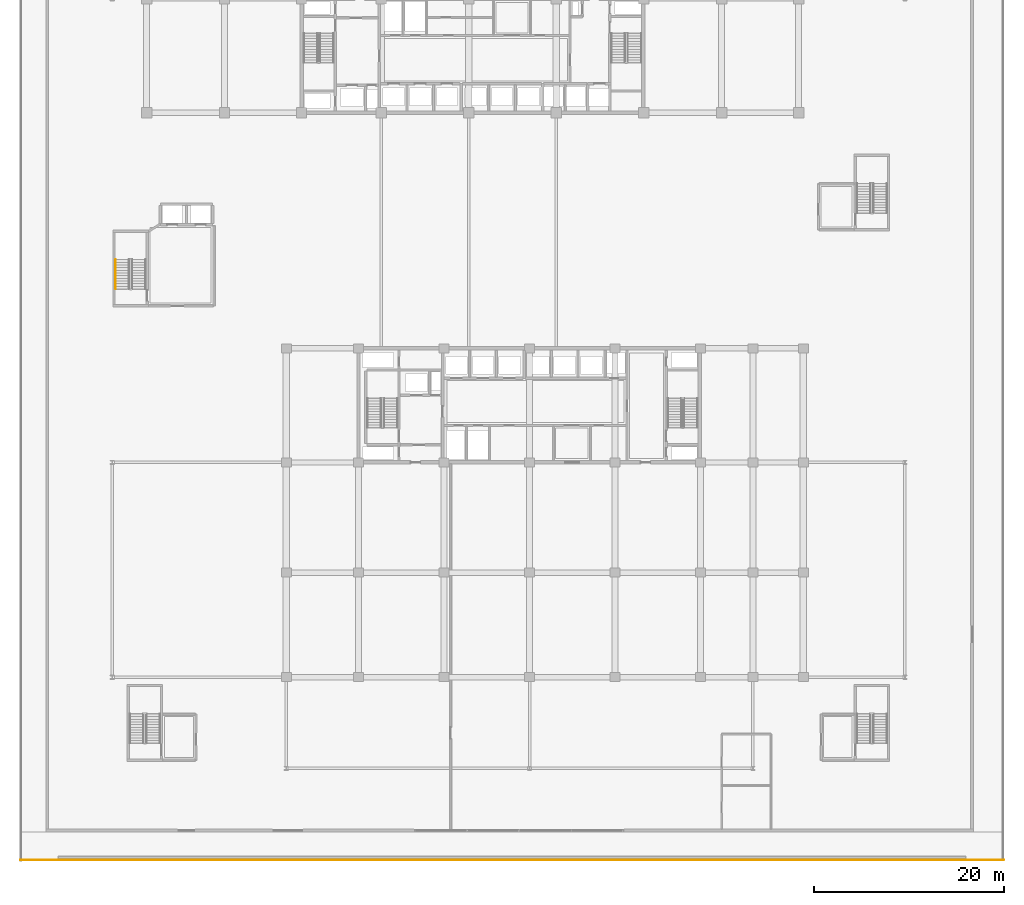
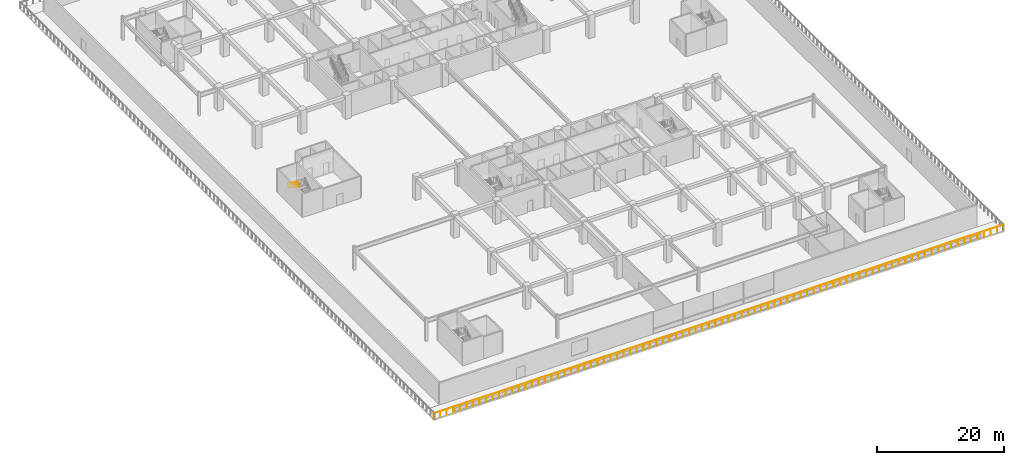
# One storey, part 32 of 43: 2 railings.
"""IFC4 building model written with IfcOpenShell, lengths in metres."""

from ifc_helpers import new_model, si_unit, direction, frame, origin, origin_2d, place, context, subcontext, project, spatial, circle, extrude, material, type_object, element, save


model = new_model("IFC4")

# Units and contexts
model_context = context("Model", 3, precision=1e-05, world=origin(), true_north=direction((0.0, 1.0)))
body_context = subcontext(model_context, "Body", "Model", "MODEL_VIEW")
ifc_project = project(units=[si_unit("LENGTHUNIT", "METRE"), si_unit("AREAUNIT", "SQUARE_METRE"), si_unit("VOLUMEUNIT", "CUBIC_METRE"), si_unit("PLANEANGLEUNIT", "RADIAN"), si_unit("MASSUNIT", "GRAM", prefix="KILO")], contexts=[model_context])

# Site, building, storey
site_placement = place(None, origin())
site = spatial("IfcSite", under=ifc_project, at=site_placement, CompositionType="ELEMENT")
building_placement = place(site_placement, origin())
building = spatial("IfcBuilding", under=site, at=building_placement, Name="Korimba Cascade Residences", CompositionType="ELEMENT")
storey_placement = place(building_placement, frame((0.0, 0.0, 10.0)))
storey = spatial("IfcBuildingStorey", under=building, at=storey_placement, Name="L02", CompositionType="ELEMENT", Elevation=10.0)

# Railings
ifc_material_1 = material(Name="Brushed Stainless Steel Handrail", Category="steel")
railing_type_1 = type_object("IfcRailingType", Name="RLG-ST-HR900", PredefinedType="HANDRAIL", material=ifc_material_1)
railing_1_placement = place(storey_placement, frame((56.550048828125, 39.72998046875, 2.629150390625)))
element("IfcRailing", 1, at=railing_1_placement, inside=storey, type_object=railing_type_1, Name="L02 ST-P1 stair handrail 2", PredefinedType="HANDRAIL", context=body_context, shape_type="SweptSolid", body=[
    extrude(circle(Radius=0.02392578125, at=origin_2d()), frame((0.0, 0.0, 0.8759765625), z_axis=(0.0, -0.830913701846, 0.55640131208), x_axis=(1.0, 0.0, 0.0)), (0.0, 0.0, 1.0), 3.706787109375),
    extrude(circle(Radius=0.02099609375, at=origin_2d()), origin(), (0.0, 0.0, 1.0), 0.851806640625),
    extrude(circle(Radius=0.02099609375, at=origin_2d()), frame((0.0, -0.77001953125, 0.515625)), (0.0, 0.0, 1.0), 0.851806640625),
    extrude(circle(Radius=0.02099609375, at=origin_2d()), frame((0.0, -1.5400390625, 1.03125)), (0.0, 0.0, 1.0), 0.851806640625),
    extrude(circle(Radius=0.02099609375, at=origin_2d()), frame((0.0, -2.31005859375, 1.546875)), (0.0, 0.0, 1.0), 0.851806640625),
    extrude(circle(Radius=0.02099609375, at=origin_2d()), frame((0.0, -3.080078125, 2.0625)), (0.0, 0.0, 1.0), 0.851806640625),
])
ifc_material_2 = material(Name="Painted Galvanised Steel Terrace Guardrail", Category="steel")
railing_type_2 = type_object("IfcRailingType", Name="RLG-TER-1150", PredefinedType="GUARDRAIL", material=ifc_material_2)
railing_2_placement = place(storey_placement, frame((46.5, -23.419921875, 0.0)))
element("IfcRailing", 2, at=railing_2_placement, inside=storey, type_object=railing_type_2, Name="L02 Perimeter Guardrail RLG-L02-TER-01", PredefinedType="GUARDRAIL", context=body_context, shape_type="SweptSolid", body=[
    extrude(circle(Radius=0.02392578125, at=origin_2d()), frame((0.0, 0.0, 1.1259765625), z_axis=(1.0, 0.0, 0.0), x_axis=(0.0, 1.0, 0.0)), (0.0, 0.0, 1.0), 103.5),
    extrude(circle(Radius=0.02099609375, at=origin_2d()), origin(), (0.0, 0.0, 1.0), 1.101806640625),
    extrude(circle(Radius=0.02099609375, at=origin_2d()), frame((1.189697265625, 0.0, 0.0)), (0.0, 0.0, 1.0), 1.101806640625),
    extrude(circle(Radius=0.02099609375, at=origin_2d()), frame((2.37939453125, 0.0, 0.0)), (0.0, 0.0, 1.0), 1.101806640625),
    extrude(circle(Radius=0.02099609375, at=origin_2d()), frame((3.56884765625, 0.0, 0.0)), (0.0, 0.0, 1.0), 1.101806640625),
    extrude(circle(Radius=0.02099609375, at=origin_2d()), frame((4.758544921875, 0.0, 0.0)), (0.0, 0.0, 1.0), 1.101806640625),
    extrude(circle(Radius=0.02099609375, at=origin_2d()), frame((5.9482421875, 0.0, 0.0)), (0.0, 0.0, 1.0), 1.101806640625),
    extrude(circle(Radius=0.02099609375, at=origin_2d()), frame((7.137939453125, 0.0, 0.0)), (0.0, 0.0, 1.0), 1.101806640625),
    extrude(circle(Radius=0.02099609375, at=origin_2d()), frame((8.32763671875, 0.0, 0.0)), (0.0, 0.0, 1.0), 1.101806640625),
    extrude(circle(Radius=0.02099609375, at=origin_2d()), frame((9.517333984375, 0.0, 0.0)), (0.0, 0.0, 1.0), 1.101806640625),
    extrude(circle(Radius=0.02099609375, at=origin_2d()), frame((10.706787109375, 0.0, 0.0)), (0.0, 0.0, 1.0), 1.101806640625),
    extrude(circle(Radius=0.02099609375, at=origin_2d()), frame((11.896484375, 0.0, 0.0)), (0.0, 0.0, 1.0), 1.101806640625),
    extrude(circle(Radius=0.02099609375, at=origin_2d()), frame((13.086181640625, 0.0, 0.0)), (0.0, 0.0, 1.0), 1.101806640625),
    extrude(circle(Radius=0.02099609375, at=origin_2d()), frame((14.27587890625, 0.0, 0.0)), (0.0, 0.0, 1.0), 1.101806640625),
    extrude(circle(Radius=0.02099609375, at=origin_2d()), frame((15.465576171875, 0.0, 0.0)), (0.0, 0.0, 1.0), 1.101806640625),
    extrude(circle(Radius=0.02099609375, at=origin_2d()), frame((16.6552734375, 0.0, 0.0)), (0.0, 0.0, 1.0), 1.101806640625),
    extrude(circle(Radius=0.02099609375, at=origin_2d()), frame((17.8447265625, 0.0, 0.0)), (0.0, 0.0, 1.0), 1.101806640625),
    extrude(circle(Radius=0.02099609375, at=origin_2d()), frame((19.034423828125, 0.0, 0.0)), (0.0, 0.0, 1.0), 1.101806640625),
    extrude(circle(Radius=0.02099609375, at=origin_2d()), frame((20.22412109375, 0.0, 0.0)), (0.0, 0.0, 1.0), 1.101806640625),
    extrude(circle(Radius=0.02099609375, at=origin_2d()), frame((21.413818359375, 0.0, 0.0)), (0.0, 0.0, 1.0), 1.101806640625),
    extrude(circle(Radius=0.02099609375, at=origin_2d()), frame((22.603515625, 0.0, 0.0)), (0.0, 0.0, 1.0), 1.101806640625),
    extrude(circle(Radius=0.02099609375, at=origin_2d()), frame((23.793212890625, 0.0, 0.0)), (0.0, 0.0, 1.0), 1.101806640625),
    extrude(circle(Radius=0.02099609375, at=origin_2d()), frame((24.982666015625, 0.0, 0.0)), (0.0, 0.0, 1.0), 1.101806640625),
    extrude(circle(Radius=0.02099609375, at=origin_2d()), frame((26.17236328125, 0.0, 0.0)), (0.0, 0.0, 1.0), 1.101806640625),
    extrude(circle(Radius=0.02099609375, at=origin_2d()), frame((27.362060546875, 0.0, 0.0)), (0.0, 0.0, 1.0), 1.101806640625),
    extrude(circle(Radius=0.02099609375, at=origin_2d()), frame((28.5517578125, 0.0, 0.0)), (0.0, 0.0, 1.0), 1.101806640625),
    extrude(circle(Radius=0.02099609375, at=origin_2d()), frame((29.741455078125, 0.0, 0.0)), (0.0, 0.0, 1.0), 1.101806640625),
    extrude(circle(Radius=0.02099609375, at=origin_2d()), frame((30.93115234375, 0.0, 0.0)), (0.0, 0.0, 1.0), 1.101806640625),
    extrude(circle(Radius=0.02099609375, at=origin_2d()), frame((32.12060546875, 0.0, 0.0)), (0.0, 0.0, 1.0), 1.101806640625),
    extrude(circle(Radius=0.02099609375, at=origin_2d()), frame((33.310302734375, 0.0, 0.0)), (0.0, 0.0, 1.0), 1.101806640625),
    extrude(circle(Radius=0.02099609375, at=origin_2d()), frame((34.5, 0.0, 0.0)), (0.0, 0.0, 1.0), 1.101806640625),
    extrude(circle(Radius=0.02099609375, at=origin_2d()), frame((35.689697265625, 0.0, 0.0)), (0.0, 0.0, 1.0), 1.101806640625),
    extrude(circle(Radius=0.02099609375, at=origin_2d()), frame((36.87939453125, 0.0, 0.0)), (0.0, 0.0, 1.0), 1.101806640625),
    extrude(circle(Radius=0.02099609375, at=origin_2d()), frame((38.06884765625, 0.0, 0.0)), (0.0, 0.0, 1.0), 1.101806640625),
    extrude(circle(Radius=0.02099609375, at=origin_2d()), frame((39.258544921875, 0.0, 0.0)), (0.0, 0.0, 1.0), 1.101806640625),
    extrude(circle(Radius=0.02099609375, at=origin_2d()), frame((40.4482421875, 0.0, 0.0)), (0.0, 0.0, 1.0), 1.101806640625),
    extrude(circle(Radius=0.02099609375, at=origin_2d()), frame((41.637939453125, 0.0, 0.0)), (0.0, 0.0, 1.0), 1.101806640625),
    extrude(circle(Radius=0.02099609375, at=origin_2d()), frame((42.82763671875, 0.0, 0.0)), (0.0, 0.0, 1.0), 1.101806640625),
    extrude(circle(Radius=0.02099609375, at=origin_2d()), frame((44.017333984375, 0.0, 0.0)), (0.0, 0.0, 1.0), 1.101806640625),
    extrude(circle(Radius=0.02099609375, at=origin_2d()), frame((45.206787109375, 0.0, 0.0)), (0.0, 0.0, 1.0), 1.101806640625),
    extrude(circle(Radius=0.02099609375, at=origin_2d()), frame((46.396484375, 0.0, 0.0)), (0.0, 0.0, 1.0), 1.101806640625),
    extrude(circle(Radius=0.02099609375, at=origin_2d()), frame((47.586181640625, 0.0, 0.0)), (0.0, 0.0, 1.0), 1.101806640625),
    extrude(circle(Radius=0.02099609375, at=origin_2d()), frame((48.77587890625, 0.0, 0.0)), (0.0, 0.0, 1.0), 1.101806640625),
    extrude(circle(Radius=0.02099609375, at=origin_2d()), frame((49.965576171875, 0.0, 0.0)), (0.0, 0.0, 1.0), 1.101806640625),
    extrude(circle(Radius=0.02099609375, at=origin_2d()), frame((51.1552734375, 0.0, 0.0)), (0.0, 0.0, 1.0), 1.101806640625),
    extrude(circle(Radius=0.02099609375, at=origin_2d()), frame((52.3447265625, 0.0, 0.0)), (0.0, 0.0, 1.0), 1.101806640625),
    extrude(circle(Radius=0.02099609375, at=origin_2d()), frame((53.534423828125, 0.0, 0.0)), (0.0, 0.0, 1.0), 1.101806640625),
    extrude(circle(Radius=0.02099609375, at=origin_2d()), frame((54.72412109375, 0.0, 0.0)), (0.0, 0.0, 1.0), 1.101806640625),
    extrude(circle(Radius=0.02099609375, at=origin_2d()), frame((55.913818359375, 0.0, 0.0)), (0.0, 0.0, 1.0), 1.101806640625),
    extrude(circle(Radius=0.02099609375, at=origin_2d()), frame((57.103515625, 0.0, 0.0)), (0.0, 0.0, 1.0), 1.101806640625),
    extrude(circle(Radius=0.02099609375, at=origin_2d()), frame((58.293212890625, 0.0, 0.0)), (0.0, 0.0, 1.0), 1.101806640625),
    extrude(circle(Radius=0.02099609375, at=origin_2d()), frame((59.482666015625, 0.0, 0.0)), (0.0, 0.0, 1.0), 1.101806640625),
    extrude(circle(Radius=0.02099609375, at=origin_2d()), frame((60.67236328125, 0.0, 0.0)), (0.0, 0.0, 1.0), 1.101806640625),
    extrude(circle(Radius=0.02099609375, at=origin_2d()), frame((61.862060546875, 0.0, 0.0)), (0.0, 0.0, 1.0), 1.101806640625),
    extrude(circle(Radius=0.02099609375, at=origin_2d()), frame((63.0517578125, 0.0, 0.0)), (0.0, 0.0, 1.0), 1.101806640625),
    extrude(circle(Radius=0.02099609375, at=origin_2d()), frame((64.241455078125, 0.0, 0.0)), (0.0, 0.0, 1.0), 1.101806640625),
    extrude(circle(Radius=0.02099609375, at=origin_2d()), frame((65.43115234375, 0.0, 0.0)), (0.0, 0.0, 1.0), 1.101806640625),
    extrude(circle(Radius=0.02099609375, at=origin_2d()), frame((66.62060546875, 0.0, 0.0)), (0.0, 0.0, 1.0), 1.101806640625),
    extrude(circle(Radius=0.02099609375, at=origin_2d()), frame((67.810302734375, 0.0, 0.0)), (0.0, 0.0, 1.0), 1.101806640625),
    extrude(circle(Radius=0.02099609375, at=origin_2d()), frame((69.0, 0.0, 0.0)), (0.0, 0.0, 1.0), 1.101806640625),
    extrude(circle(Radius=0.02099609375, at=origin_2d()), frame((70.189697265625, 0.0, 0.0)), (0.0, 0.0, 1.0), 1.101806640625),
    extrude(circle(Radius=0.02099609375, at=origin_2d()), frame((71.37939453125, 0.0, 0.0)), (0.0, 0.0, 1.0), 1.101806640625),
    extrude(circle(Radius=0.02099609375, at=origin_2d()), frame((72.56884765625, 0.0, 0.0)), (0.0, 0.0, 1.0), 1.101806640625),
    extrude(circle(Radius=0.02099609375, at=origin_2d()), frame((73.758544921875, 0.0, 0.0)), (0.0, 0.0, 1.0), 1.101806640625),
    extrude(circle(Radius=0.02099609375, at=origin_2d()), frame((74.9482421875, 0.0, 0.0)), (0.0, 0.0, 1.0), 1.101806640625),
    extrude(circle(Radius=0.02099609375, at=origin_2d()), frame((76.137939453125, 0.0, 0.0)), (0.0, 0.0, 1.0), 1.101806640625),
    extrude(circle(Radius=0.02099609375, at=origin_2d()), frame((77.32763671875, 0.0, 0.0)), (0.0, 0.0, 1.0), 1.101806640625),
    extrude(circle(Radius=0.02099609375, at=origin_2d()), frame((78.517333984375, 0.0, 0.0)), (0.0, 0.0, 1.0), 1.101806640625),
    extrude(circle(Radius=0.02099609375, at=origin_2d()), frame((79.706787109375, 0.0, 0.0)), (0.0, 0.0, 1.0), 1.101806640625),
    extrude(circle(Radius=0.02099609375, at=origin_2d()), frame((80.896484375, 0.0, 0.0)), (0.0, 0.0, 1.0), 1.101806640625),
    extrude(circle(Radius=0.02099609375, at=origin_2d()), frame((82.086181640625, 0.0, 0.0)), (0.0, 0.0, 1.0), 1.101806640625),
    extrude(circle(Radius=0.02099609375, at=origin_2d()), frame((83.27587890625, 0.0, 0.0)), (0.0, 0.0, 1.0), 1.101806640625),
    extrude(circle(Radius=0.02099609375, at=origin_2d()), frame((84.465576171875, 0.0, 0.0)), (0.0, 0.0, 1.0), 1.101806640625),
    extrude(circle(Radius=0.02099609375, at=origin_2d()), frame((85.6552734375, 0.0, 0.0)), (0.0, 0.0, 1.0), 1.101806640625),
    extrude(circle(Radius=0.02099609375, at=origin_2d()), frame((86.8447265625, 0.0, 0.0)), (0.0, 0.0, 1.0), 1.101806640625),
    extrude(circle(Radius=0.02099609375, at=origin_2d()), frame((88.034423828125, 0.0, 0.0)), (0.0, 0.0, 1.0), 1.101806640625),
    extrude(circle(Radius=0.02099609375, at=origin_2d()), frame((89.22412109375, 0.0, 0.0)), (0.0, 0.0, 1.0), 1.101806640625),
    extrude(circle(Radius=0.02099609375, at=origin_2d()), frame((90.413818359375, 0.0, 0.0)), (0.0, 0.0, 1.0), 1.101806640625),
    extrude(circle(Radius=0.02099609375, at=origin_2d()), frame((91.603515625, 0.0, 0.0)), (0.0, 0.0, 1.0), 1.101806640625),
    extrude(circle(Radius=0.02099609375, at=origin_2d()), frame((92.793212890625, 0.0, 0.0)), (0.0, 0.0, 1.0), 1.101806640625),
    extrude(circle(Radius=0.02099609375, at=origin_2d()), frame((93.982666015625, 0.0, 0.0)), (0.0, 0.0, 1.0), 1.101806640625),
    extrude(circle(Radius=0.02099609375, at=origin_2d()), frame((95.17236328125, 0.0, 0.0)), (0.0, 0.0, 1.0), 1.101806640625),
    extrude(circle(Radius=0.02099609375, at=origin_2d()), frame((96.362060546875, 0.0, 0.0)), (0.0, 0.0, 1.0), 1.101806640625),
    extrude(circle(Radius=0.02099609375, at=origin_2d()), frame((97.5517578125, 0.0, 0.0)), (0.0, 0.0, 1.0), 1.101806640625),
    extrude(circle(Radius=0.02099609375, at=origin_2d()), frame((98.741455078125, 0.0, 0.0)), (0.0, 0.0, 1.0), 1.101806640625),
    extrude(circle(Radius=0.02099609375, at=origin_2d()), frame((99.93115234375, 0.0, 0.0)), (0.0, 0.0, 1.0), 1.101806640625),
    extrude(circle(Radius=0.02099609375, at=origin_2d()), frame((101.12060546875, 0.0, 0.0)), (0.0, 0.0, 1.0), 1.101806640625),
    extrude(circle(Radius=0.02099609375, at=origin_2d()), frame((102.310302734375, 0.0, 0.0)), (0.0, 0.0, 1.0), 1.101806640625),
    extrude(circle(Radius=0.02099609375, at=origin_2d()), frame((103.5, 0.0, 0.0)), (0.0, 0.0, 1.0), 1.101806640625),
])

save(model, "model.ifc")
